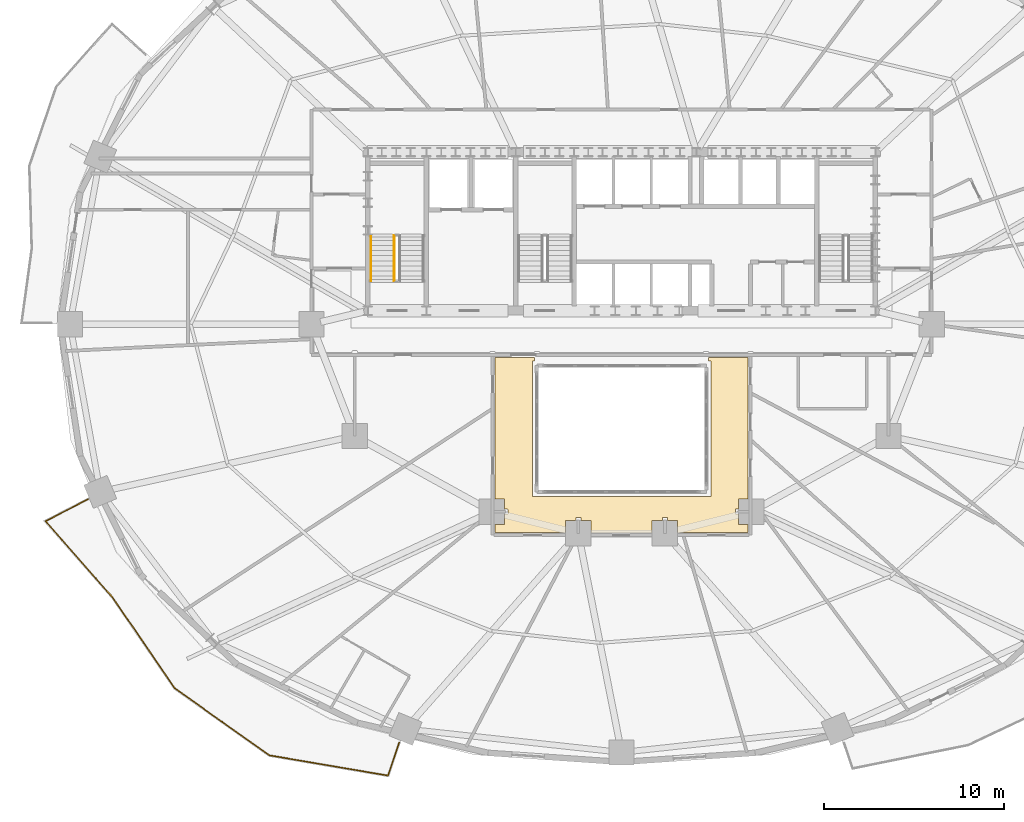
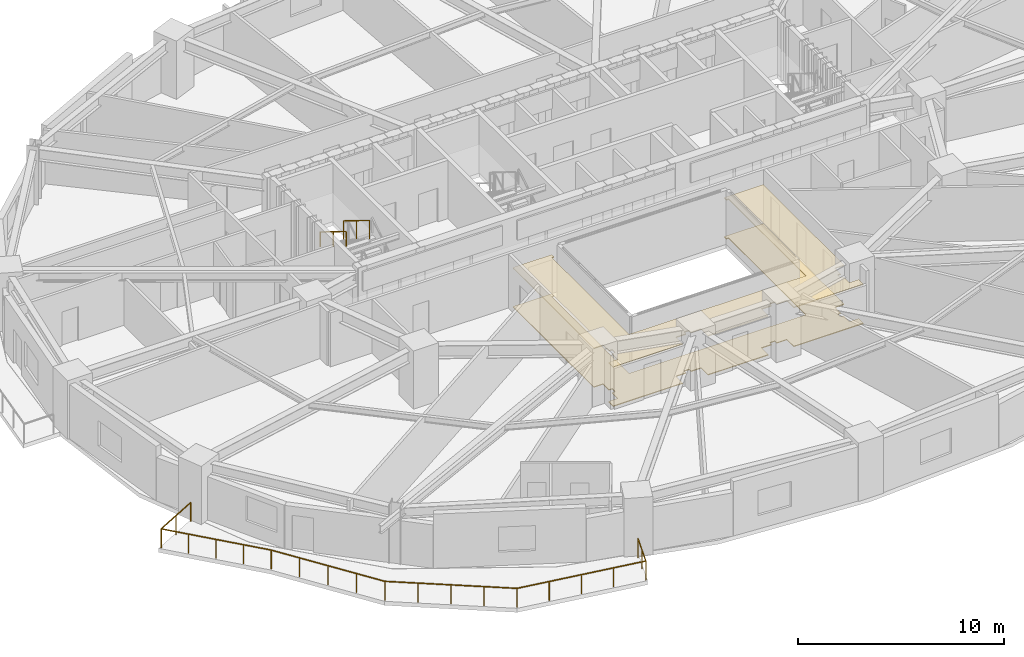
# One storey, part 14 of 17: 3 railings, 2 coverings.
"""IFC4 building model written with IfcOpenShell, lengths in metres."""

from ifc_helpers import new_model, si_unit, direction, frame, origin, origin_2d, place, context, subcontext, project, spatial, polyline, rectangle, outline, extrude, material, layer, layer_set, type_object, element, save


model = new_model("IFC4")

# Units and contexts
model_context = context("Model", 3, precision=1e-05, world=origin(), true_north=direction((0.0, 1.0)))
body_context = subcontext(model_context, "Body", "Model", "MODEL_VIEW")
ifc_project = project(units=[si_unit("LENGTHUNIT", "METRE"), si_unit("AREAUNIT", "SQUARE_METRE"), si_unit("VOLUMEUNIT", "CUBIC_METRE"), si_unit("PLANEANGLEUNIT", "RADIAN"), si_unit("MASSUNIT", "GRAM", prefix="KILO")], contexts=[model_context])

# Site, building, storey
site_placement = place(None, origin())
site = spatial("IfcSite", under=ifc_project, at=site_placement, CompositionType="ELEMENT")
building_placement = place(site_placement, origin())
building = spatial("IfcBuilding", under=site, at=building_placement, Name="Haldorwick Loom Tower", CompositionType="ELEMENT")
storey_placement = place(building_placement, frame((0.0, 0.0, 65.39990234375)))
storey = spatial("IfcBuildingStorey", under=building, at=storey_placement, Name="L17", CompositionType="ELEMENT", Elevation=65.39990234375)

# Coverings
ifc_material_1 = material(Name="Mineral Fibre Acoustic Ceiling Tile")
ifc_layer_1 = layer(ifc_material_1, 0.054931640625, Name="Mineral Fibre Acoustic Ceiling Tile")
ifc_layer_set_1 = layer_set([ifc_layer_1], Name="Mineral Fibre Acoustic Ceiling Tile")
covering_type_1 = type_object("IfcCoveringType", Name="ARC-COV-CEIL2", PredefinedType="CEILING", material=ifc_layer_set_1)
covering_1_placement = place(storey_placement, frame((0.0, 0.0, 2.302001953125)))
element("IfcCovering", 1, at=covering_1_placement, inside=storey, type_object=covering_type_1, Name="L17 Acoustic Suspended Ceiling 1", PredefinedType="CEILING", context=body_context, shape_type="SweptSolid", body=[
    extrude(outline(polyline([(33.739990234375, 15.10791015625), (34.30810546875, 15.10791015625), (34.30810546875, 14.43994140625), (37.69189453125, 14.43994140625), (37.69189453125, 15.10791015625), (38.260009765625, 15.10791015625), (38.260009765625, 15.27001953125), (38.260009765625, 15.27197265625), (38.260498046875, 15.27392578125), (38.260986328125, 15.27587890625), (38.261474609375, 15.277587890625), (38.262451171875, 15.279296875), (38.263427734375, 15.281005859375), (38.264404296875, 15.28271484375), (38.265869140625, 15.2841796875), (38.267333984375, 15.285400390625), (38.268798828125, 15.28662109375), (38.2705078125, 15.28759765625), (38.272216796875, 15.28857421875), (38.274169921875, 15.2890625), (38.276123046875, 15.28955078125), (38.278076171875, 15.289794921875), (38.280029296875, 15.2900390625), (38.52001953125, 15.2900390625), (38.52197265625, 15.289794921875), (38.52392578125, 15.28955078125), (38.52587890625, 15.2890625), (38.527587890625, 15.28857421875), (38.529296875, 15.28759765625), (38.531005859375, 15.28662109375), (38.53271484375, 15.285400390625), (38.5341796875, 15.2841796875), (38.535400390625, 15.28271484375), (38.53662109375, 15.281005859375), (38.53759765625, 15.279296875), (38.53857421875, 15.277587890625), (38.5390625, 15.27587890625), (38.53955078125, 15.27392578125), (38.539794921875, 15.27197265625), (38.5400390625, 15.27001953125), (38.5400390625, 15.10791015625), (39.10791015625, 15.10791015625), (39.10791015625, 14.43994140625), (43.010009765625, 14.43994140625), (43.010009765625, 14.89208984375), (42.491943359375, 14.89208984375), (42.491943359375, 15.4599609375), (42.330078125, 15.4599609375), (42.327880859375, 15.460205078125), (42.326171875, 15.46044921875), (42.32421875, 15.4609375), (42.322265625, 15.46142578125), (42.320556640625, 15.46240234375), (42.31884765625, 15.46337890625), (42.3173828125, 15.464599609375), (42.31591796875, 15.4658203125), (42.314453125, 15.46728515625), (42.3134765625, 15.468994140625), (42.3125, 15.470703125), (42.3115234375, 15.472412109375), (42.310791015625, 15.47412109375), (42.310302734375, 15.47607421875), (42.31005859375, 15.47802734375), (42.31005859375, 15.47998046875), (42.31005859375, 15.719970703125), (42.31005859375, 15.721923828125), (42.310302734375, 15.723876953125), (42.310791015625, 15.725830078125), (42.3115234375, 15.727783203125), (42.3125, 15.7294921875), (42.3134765625, 15.731201171875), (42.314453125, 15.732666015625), (42.31591796875, 15.734130859375), (42.3173828125, 15.735595703125), (42.31884765625, 15.736572265625), (42.320556640625, 15.737548828125), (42.322265625, 15.738525390625), (42.32421875, 15.739013671875), (42.326171875, 15.739501953125), (42.327880859375, 15.739990234375), (42.330078125, 15.739990234375), (42.491943359375, 15.739990234375), (42.491943359375, 16.30810546875), (43.010009765625, 16.30810546875), (43.010009765625, 24.159912109375), (40.820068359375, 24.159912109375), (40.820068359375, 23.949951171875), (40.949951171875, 23.949951171875), (40.949951171875, 16.449951171875), (31.050048828125, 16.449951171875), (31.050048828125, 23.949951171875), (31.179931640625, 23.949951171875), (31.179931640625, 24.159912109375), (28.989990234375, 24.159912109375), (28.989990234375, 16.30810546875), (29.508056640625, 16.30810546875), (29.508056640625, 15.739990234375), (29.669921875, 15.739990234375), (29.672119140625, 15.739990234375), (29.673828125, 15.739501953125), (29.67578125, 15.739013671875), (29.677734375, 15.738525390625), (29.679443359375, 15.737548828125), (29.68115234375, 15.736572265625), (29.6826171875, 15.735595703125), (29.68408203125, 15.734130859375), (29.685546875, 15.732666015625), (29.6865234375, 15.731201171875), (29.6875, 15.7294921875), (29.6884765625, 15.727783203125), (29.689208984375, 15.725830078125), (29.689697265625, 15.723876953125), (29.68994140625, 15.721923828125), (29.68994140625, 15.719970703125), (29.68994140625, 15.47998046875), (29.68994140625, 15.47802734375), (29.689697265625, 15.47607421875), (29.689208984375, 15.47412109375), (29.6884765625, 15.472412109375), (29.6875, 15.470703125), (29.6865234375, 15.468994140625), (29.685546875, 15.46728515625), (29.68408203125, 15.4658203125), (29.6826171875, 15.464599609375), (29.68115234375, 15.46337890625), (29.679443359375, 15.46240234375), (29.677734375, 15.46142578125), (29.67578125, 15.4609375), (29.673828125, 15.46044921875), (29.672119140625, 15.460205078125), (29.669921875, 15.4599609375), (29.508056640625, 15.4599609375), (29.508056640625, 14.89208984375), (28.989990234375, 14.89208984375), (28.989990234375, 14.43994140625), (32.89208984375, 14.43994140625), (32.89208984375, 15.10791015625), (33.458984375, 15.10791015625), (33.4599609375, 15.27001953125), (33.460205078125, 15.272216796875), (33.46044921875, 15.27392578125), (33.4609375, 15.27587890625), (33.461669921875, 15.277587890625), (33.46240234375, 15.279541015625), (33.46337890625, 15.28125), (33.464599609375, 15.28271484375), (33.4658203125, 15.2841796875), (33.46728515625, 15.285400390625), (33.468994140625, 15.28662109375), (33.470703125, 15.28759765625), (33.472412109375, 15.28857421875), (33.47412109375, 15.2890625), (33.47607421875, 15.28955078125), (33.47802734375, 15.289794921875), (33.47998046875, 15.2900390625), (33.719970703125, 15.2900390625), (33.721923828125, 15.289794921875), (33.723876953125, 15.28955078125), (33.725830078125, 15.2890625), (33.727783203125, 15.28857421875), (33.7294921875, 15.28759765625), (33.731201171875, 15.28662109375), (33.732666015625, 15.285400390625), (33.734130859375, 15.2841796875), (33.735595703125, 15.28271484375), (33.736572265625, 15.281005859375), (33.737548828125, 15.279296875), (33.738525390625, 15.277587890625), (33.739013671875, 15.27587890625), (33.739501953125, 15.27392578125), (33.739990234375, 15.27197265625), (33.739990234375, 15.27001953125), (33.739990234375, 15.10791015625)])), origin(), (0.0, 0.0, 1.0), 0.05517578125),
])
ifc_material_2 = material(Name="Polished Aggregate Terrazzo Finish")
ifc_layer_2 = layer(ifc_material_2, 0.044921875, Name="Polished Aggregate Terrazzo Finish")
ifc_layer_set_2 = layer_set([ifc_layer_2], Name="Polished Aggregate Terrazzo Finish")
covering_type_2 = type_object("IfcCoveringType", Name="ARC-COV-FLOOR2", PredefinedType="FLOORING", material=ifc_layer_set_2)
covering_2_placement = place(storey_placement, origin())
element("IfcCovering", 2, at=covering_2_placement, inside=storey, type_object=covering_type_2, Name="L17 Floor Finish 1", PredefinedType="FLOORING", context=body_context, shape_type="SweptSolid", body=[
    extrude(outline(polyline([(33.739990234375, 15.10791015625), (34.30810546875, 15.10791015625), (34.30810546875, 14.43994140625), (37.69189453125, 14.43994140625), (37.69189453125, 15.10791015625), (38.260009765625, 15.10791015625), (38.260009765625, 15.27001953125), (38.260009765625, 15.27197265625), (38.260498046875, 15.27392578125), (38.260986328125, 15.27587890625), (38.261474609375, 15.277587890625), (38.262451171875, 15.279296875), (38.263427734375, 15.281005859375), (38.264404296875, 15.28271484375), (38.265869140625, 15.2841796875), (38.267333984375, 15.285400390625), (38.268798828125, 15.28662109375), (38.2705078125, 15.28759765625), (38.272216796875, 15.28857421875), (38.274169921875, 15.2890625), (38.276123046875, 15.28955078125), (38.278076171875, 15.289794921875), (38.280029296875, 15.2900390625), (38.52001953125, 15.2900390625), (38.52197265625, 15.289794921875), (38.52392578125, 15.28955078125), (38.52587890625, 15.2890625), (38.527587890625, 15.28857421875), (38.529296875, 15.28759765625), (38.531005859375, 15.28662109375), (38.53271484375, 15.285400390625), (38.5341796875, 15.2841796875), (38.535400390625, 15.28271484375), (38.53662109375, 15.281005859375), (38.53759765625, 15.279296875), (38.53857421875, 15.277587890625), (38.5390625, 15.27587890625), (38.53955078125, 15.27392578125), (38.539794921875, 15.27197265625), (38.5400390625, 15.27001953125), (38.5400390625, 15.10791015625), (39.10791015625, 15.10791015625), (39.10791015625, 14.43994140625), (43.010009765625, 14.43994140625), (43.010009765625, 14.89208984375), (42.491943359375, 14.89208984375), (42.491943359375, 15.4599609375), (42.330078125, 15.4599609375), (42.327880859375, 15.460205078125), (42.326171875, 15.46044921875), (42.32421875, 15.4609375), (42.322265625, 15.46142578125), (42.320556640625, 15.46240234375), (42.31884765625, 15.46337890625), (42.3173828125, 15.464599609375), (42.31591796875, 15.4658203125), (42.314453125, 15.46728515625), (42.3134765625, 15.468994140625), (42.3125, 15.470703125), (42.3115234375, 15.472412109375), (42.310791015625, 15.47412109375), (42.310302734375, 15.47607421875), (42.31005859375, 15.47802734375), (42.31005859375, 15.47998046875), (42.31005859375, 15.719970703125), (42.31005859375, 15.721923828125), (42.310302734375, 15.723876953125), (42.310791015625, 15.725830078125), (42.3115234375, 15.727783203125), (42.3125, 15.7294921875), (42.3134765625, 15.731201171875), (42.314453125, 15.732666015625), (42.31591796875, 15.734130859375), (42.3173828125, 15.735595703125), (42.31884765625, 15.736572265625), (42.320556640625, 15.737548828125), (42.322265625, 15.738525390625), (42.32421875, 15.739013671875), (42.326171875, 15.739501953125), (42.327880859375, 15.739990234375), (42.330078125, 15.739990234375), (42.491943359375, 15.739990234375), (42.491943359375, 16.30810546875), (43.010009765625, 16.30810546875), (43.010009765625, 24.159912109375), (40.820068359375, 24.159912109375), (40.820068359375, 23.949951171875), (40.949951171875, 23.949951171875), (40.949951171875, 16.449951171875), (31.050048828125, 16.449951171875), (31.050048828125, 23.949951171875), (31.179931640625, 23.949951171875), (31.179931640625, 24.159912109375), (28.989990234375, 24.159912109375), (28.989990234375, 16.30810546875), (29.508056640625, 16.30810546875), (29.508056640625, 15.739990234375), (29.669921875, 15.739990234375), (29.672119140625, 15.739990234375), (29.673828125, 15.739501953125), (29.67578125, 15.739013671875), (29.677734375, 15.738525390625), (29.679443359375, 15.737548828125), (29.68115234375, 15.736572265625), (29.6826171875, 15.735595703125), (29.68408203125, 15.734130859375), (29.685546875, 15.732666015625), (29.6865234375, 15.731201171875), (29.6875, 15.7294921875), (29.6884765625, 15.727783203125), (29.689208984375, 15.725830078125), (29.689697265625, 15.723876953125), (29.68994140625, 15.721923828125), (29.68994140625, 15.719970703125), (29.68994140625, 15.47998046875), (29.68994140625, 15.47802734375), (29.689697265625, 15.47607421875), (29.689208984375, 15.47412109375), (29.6884765625, 15.472412109375), (29.6875, 15.470703125), (29.6865234375, 15.468994140625), (29.685546875, 15.46728515625), (29.68408203125, 15.4658203125), (29.6826171875, 15.464599609375), (29.68115234375, 15.46337890625), (29.679443359375, 15.46240234375), (29.677734375, 15.46142578125), (29.67578125, 15.4609375), (29.673828125, 15.46044921875), (29.672119140625, 15.460205078125), (29.669921875, 15.4599609375), (29.508056640625, 15.4599609375), (29.508056640625, 14.89208984375), (28.989990234375, 14.89208984375), (28.989990234375, 14.43994140625), (32.89208984375, 14.43994140625), (32.89208984375, 15.10791015625), (33.458984375, 15.10791015625), (33.4599609375, 15.27001953125), (33.460205078125, 15.272216796875), (33.46044921875, 15.27392578125), (33.4609375, 15.27587890625), (33.461669921875, 15.277587890625), (33.46240234375, 15.279541015625), (33.46337890625, 15.28125), (33.464599609375, 15.28271484375), (33.4658203125, 15.2841796875), (33.46728515625, 15.285400390625), (33.468994140625, 15.28662109375), (33.470703125, 15.28759765625), (33.472412109375, 15.28857421875), (33.47412109375, 15.2890625), (33.47607421875, 15.28955078125), (33.47802734375, 15.289794921875), (33.47998046875, 15.2900390625), (33.719970703125, 15.2900390625), (33.721923828125, 15.289794921875), (33.723876953125, 15.28955078125), (33.725830078125, 15.2890625), (33.727783203125, 15.28857421875), (33.7294921875, 15.28759765625), (33.731201171875, 15.28662109375), (33.732666015625, 15.285400390625), (33.734130859375, 15.2841796875), (33.735595703125, 15.28271484375), (33.736572265625, 15.281005859375), (33.737548828125, 15.279296875), (33.738525390625, 15.277587890625), (33.739013671875, 15.27587890625), (33.739501953125, 15.27392578125), (33.739990234375, 15.27197265625), (33.739990234375, 15.27001953125), (33.739990234375, 15.10791015625)])), origin(), (0.0, 0.0, 1.0), 0.045166015625),
])

# Railings
ifc_material_3 = material(Name="Galvanized Steel CSA G40.21 350W", Category="steel")
railing_type_1 = type_object("IfcRailingType", Name="ARC-RLG-BAL115", PredefinedType="BALUSTRADE", material=ifc_material_3)
railing_1_placement = place(storey_placement, frame((23.661865234375, 2.792236328125, 0.0)))
element("IfcRailing", 3, at=railing_1_placement, inside=storey, type_object=railing_type_1, Name="L17 Outdoor Terrace Guardrail SLB-L17-BAL_SW-1", PredefinedType="BALUSTRADE", context=body_context, shape_type="SweptSolid", body=[
    extrude(rectangle(XDim=0.048095703125, YDim=0.048095703125, at=origin_2d()), frame((0.0, 0.0, 1.1259765625), z_axis=(-0.320435584101, -0.947270308012, 0.0), x_axis=(0.947270308012, -0.320435584101, 0.0)), (0.0, 0.0, 1.0), 1.9306640625),
    extrude(rectangle(XDim=0.048095703125, YDim=0.048095703125, at=origin_2d()), frame((-0.61865234375, -1.828857421875, 1.1259765625), z_axis=(-0.985747982985, 0.168228755094, 0.0), x_axis=(-0.168228755094, -0.985747982985, 0.0)), (0.0, 0.0, 1.0), 6.66552734375),
    extrude(rectangle(XDim=0.048095703125, YDim=0.048095703125, at=origin_2d()), frame((-7.189208984375, -0.70751953125, 1.1259765625), z_axis=(-0.816259372483, 0.577685586486, 0.0), x_axis=(-0.577685586486, -0.816259372483, 0.0)), (0.0, 0.0, 1.0), 6.4326171875),
    extrude(rectangle(XDim=0.048095703125, YDim=0.048095703125, at=origin_2d()), frame((-12.43994140625, 3.008544921875, 1.1259765625), z_axis=(-0.564811281477, 0.82522010174, 0.0), x_axis=(-0.82522010174, -0.564811281477, 0.0)), (0.0, 0.0, 1.0), 6.115478515625),
    extrude(rectangle(XDim=0.048095703125, YDim=0.048095703125, at=origin_2d()), frame((-15.89404296875, 8.05517578125, 1.1259765625), z_axis=(-0.615644041972, 0.788024373725, 0.0), x_axis=(-0.788024373725, -0.615644041972, 0.0)), (0.0, 0.0, 1.0), 0.010009765625),
    extrude(rectangle(XDim=0.048095703125, YDim=0.048095703125, at=origin_2d()), frame((-15.900146484375, 8.06298828125, 1.1259765625), z_axis=(-0.661217967964, 0.750193840845, 0.0), x_axis=(-0.750193840845, -0.661217967964, 0.0)), (0.0, 0.0, 1.0), 5.622314453125),
    extrude(rectangle(XDim=0.048095703125, YDim=0.048095703125, at=origin_2d()), frame((-19.61767578125, 12.28076171875, 1.1259765625), z_axis=(0.889147904844, 0.457619933254, 0.0), x_axis=(-0.457619933254, 0.889147904844, 0.0)), (0.0, 0.0, 1.0), 2.657470703125),
    extrude(rectangle(XDim=0.0419921875, YDim=0.0419921875, at=origin_2d()), origin(), (0.0, 0.0, 1.0), 1.101806640625),
    extrude(rectangle(XDim=0.0419921875, YDim=0.0419921875, at=origin_2d()), frame((-0.309326171875, -0.91455078125, 0.0)), (0.0, 0.0, 1.0), 1.101806640625),
    extrude(rectangle(XDim=0.0419921875, YDim=0.0419921875, at=origin_2d()), frame((-0.61865234375, -1.828857421875, 0.0)), (0.0, 0.0, 1.0), 1.101806640625),
    extrude(rectangle(XDim=0.0419921875, YDim=0.0419921875, at=origin_2d()), frame((-2.26123046875, -1.548583984375, 0.0)), (0.0, 0.0, 1.0), 1.101806640625),
    extrude(rectangle(XDim=0.0419921875, YDim=0.0419921875, at=origin_2d()), frame((-3.90380859375, -1.26806640625, 0.0)), (0.0, 0.0, 1.0), 1.101806640625),
    extrude(rectangle(XDim=0.0419921875, YDim=0.0419921875, at=origin_2d()), frame((-5.546630859375, -0.98779296875, 0.0)), (0.0, 0.0, 1.0), 1.101806640625),
    extrude(rectangle(XDim=0.0419921875, YDim=0.0419921875, at=origin_2d()), frame((-7.189208984375, -0.70751953125, 0.0)), (0.0, 0.0, 1.0), 1.101806640625),
    extrude(rectangle(XDim=0.0419921875, YDim=0.0419921875, at=origin_2d()), frame((-8.501953125, 0.221435546875, 0.0)), (0.0, 0.0, 1.0), 1.101806640625),
    extrude(rectangle(XDim=0.0419921875, YDim=0.0419921875, at=origin_2d()), frame((-9.814453125, 1.150390625, 0.0)), (0.0, 0.0, 1.0), 1.101806640625),
    extrude(rectangle(XDim=0.0419921875, YDim=0.0419921875, at=origin_2d()), frame((-11.127197265625, 2.07958984375, 0.0)), (0.0, 0.0, 1.0), 1.101806640625),
    extrude(rectangle(XDim=0.0419921875, YDim=0.0419921875, at=origin_2d()), frame((-12.43994140625, 3.008544921875, 0.0)), (0.0, 0.0, 1.0), 1.101806640625),
    extrude(rectangle(XDim=0.0419921875, YDim=0.0419921875, at=origin_2d()), frame((-13.303466796875, 4.270263671875, 0.0)), (0.0, 0.0, 1.0), 1.101806640625),
    extrude(rectangle(XDim=0.0419921875, YDim=0.0419921875, at=origin_2d()), frame((-14.1669921875, 5.53173828125, 0.0)), (0.0, 0.0, 1.0), 1.101806640625),
    extrude(rectangle(XDim=0.0419921875, YDim=0.0419921875, at=origin_2d()), frame((-15.030517578125, 6.79345703125, 0.0)), (0.0, 0.0, 1.0), 1.101806640625),
    extrude(rectangle(XDim=0.0419921875, YDim=0.0419921875, at=origin_2d()), frame((-15.89404296875, 8.05517578125, 0.0)), (0.0, 0.0, 1.0), 1.101806640625),
    extrude(rectangle(XDim=0.0419921875, YDim=0.0419921875, at=origin_2d()), frame((-16.82958984375, 9.117431640625, 0.0)), (0.0, 0.0, 1.0), 1.101806640625),
    extrude(rectangle(XDim=0.0419921875, YDim=0.0419921875, at=origin_2d()), frame((-17.7587890625, 10.171875, 0.0)), (0.0, 0.0, 1.0), 1.101806640625),
    extrude(rectangle(XDim=0.0419921875, YDim=0.0419921875, at=origin_2d()), frame((-18.688232421875, 11.226318359375, 0.0)), (0.0, 0.0, 1.0), 1.101806640625),
    extrude(rectangle(XDim=0.0419921875, YDim=0.0419921875, at=origin_2d()), frame((-19.61767578125, 12.28076171875, 0.0)), (0.0, 0.0, 1.0), 1.101806640625),
    extrude(rectangle(XDim=0.0419921875, YDim=0.0419921875, at=origin_2d()), frame((-18.436279296875, 12.888671875, 0.0)), (0.0, 0.0, 1.0), 1.101806640625),
    extrude(rectangle(XDim=0.0419921875, YDim=0.0419921875, at=origin_2d()), frame((-17.2548828125, 13.496826171875, 0.0)), (0.0, 0.0, 1.0), 1.101806640625),
])
ifc_material_4 = material(Name="Steel CSA G40.21 350W", Category="steel")
railing_type_2 = type_object("IfcRailingType", Name="ARC-RLG-GUARD112", PredefinedType="GUARDRAIL", material=ifc_material_4)
railing_2_placement = place(storey_placement, frame((23.39990234375, 30.919921875, 1.897705078125)))
element("IfcRailing", 4, at=railing_2_placement, inside=storey, type_object=railing_type_2, Name="L17 ST-01 stair guard 3", PredefinedType="GUARDRAIL", context=body_context, shape_type="SweptSolid", body=[
    extrude(rectangle(XDim=0.048095703125, YDim=0.048095703125, at=origin_2d()), frame((0.0, 0.0, 1.076171875), z_axis=(0.0, -0.851400495292, 0.524516154772), x_axis=(1.0, 0.0, 0.0)), (0.0, 0.0, 1.0), 2.9599609375),
    extrude(rectangle(XDim=0.0419921875, YDim=0.0419921875, at=origin_2d()), origin(), (0.0, 0.0, 1.0), 1.052001953125),
    extrude(rectangle(XDim=0.0419921875, YDim=0.0419921875, at=origin_2d()), frame((0.0, -1.260009765625, 0.7763671875)), (0.0, 0.0, 1.0), 1.052001953125),
    extrude(rectangle(XDim=0.0419921875, YDim=0.0419921875, at=origin_2d()), frame((0.0, -2.52001953125, 1.552490234375)), (0.0, 0.0, 1.0), 1.052001953125),
])
railing_type_3 = type_object("IfcRailingType", Name="ARC-RLG-HAND092", PredefinedType="HANDRAIL", material=ifc_material_4)
railing_3_placement = place(storey_placement, frame((22.10009765625, 30.919921875, 1.897705078125)))
element("IfcRailing", 5, at=railing_3_placement, inside=storey, type_object=railing_type_3, Name="L17 ST-01 stair handrail 2", PredefinedType="HANDRAIL", context=body_context, shape_type="SweptSolid", body=[
    extrude(rectangle(XDim=0.048095703125, YDim=0.048095703125, at=origin_2d()), frame((0.0, 0.0, 0.8759765625), z_axis=(0.0, -0.851400495292, 0.524516154772), x_axis=(1.0, 0.0, 0.0)), (0.0, 0.0, 1.0), 2.9599609375),
    extrude(rectangle(XDim=0.0419921875, YDim=0.0419921875, at=origin_2d()), origin(), (0.0, 0.0, 1.0), 0.851806640625),
    extrude(rectangle(XDim=0.0419921875, YDim=0.0419921875, at=origin_2d()), frame((0.0, -1.260009765625, 0.7763671875)), (0.0, 0.0, 1.0), 0.851806640625),
    extrude(rectangle(XDim=0.0419921875, YDim=0.0419921875, at=origin_2d()), frame((0.0, -2.52001953125, 1.552490234375)), (0.0, 0.0, 1.0), 0.851806640625),
])

save(model, "model.ifc")
